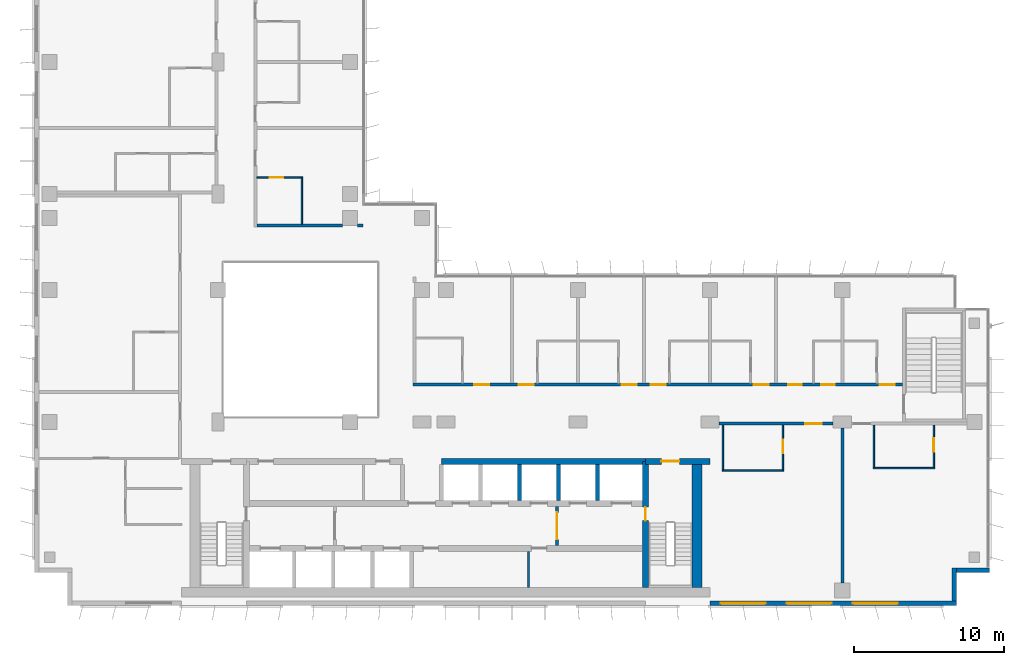
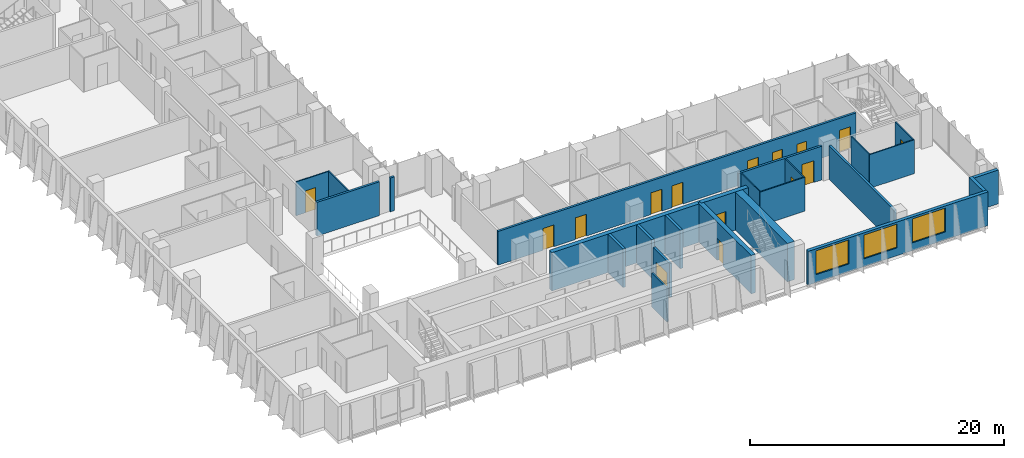
# One storey, part 14 of 21: 25 walls, 15 doors, 3 windows, 18 openings.
"""IFC4 building model written with IfcOpenShell, lengths in metres."""

from ifc_helpers import new_model, si_unit, direction, frame, frame_2d, origin, place, context, subcontext, project, spatial, rectangle, extrude, material, layer, layer_set, type_object, element, fill, save


model = new_model("IFC4")

# Units and contexts
model_context = context("Model", 3, precision=1e-05, world=origin(), true_north=direction((0.0, 1.0)))
body_context = subcontext(model_context, "Body", "Model", "MODEL_VIEW")
ifc_project = project(units=[si_unit("LENGTHUNIT", "METRE"), si_unit("AREAUNIT", "SQUARE_METRE"), si_unit("VOLUMEUNIT", "CUBIC_METRE"), si_unit("PLANEANGLEUNIT", "RADIAN"), si_unit("MASSUNIT", "GRAM", prefix="KILO")], contexts=[model_context])

# Site, building, storey
site_placement = place(None, origin())
site = spatial("IfcSite", under=ifc_project, at=site_placement, CompositionType="ELEMENT")
building_placement = place(site_placement, origin())
building = spatial("IfcBuilding", under=site, at=building_placement, Name="Kemantara Hotel Tower", CompositionType="ELEMENT")
storey_placement = place(building_placement, frame((0.0, 0.0, 219.10009765625)))
storey = spatial("IfcBuildingStorey", under=building, at=storey_placement, Name="L54", CompositionType="ELEMENT", Elevation=219.10009765625)

# Wall, openings, windows
ifc_material_1 = material(Name="Bronze anodised aluminium cladding on insulated steel stud wall", Category="steel")
ifc_layer_1 = layer(ifc_material_1, 0.300048828125)
ifc_layer_set_1 = layer_set([ifc_layer_1], Name="Bronze anodised aluminium cladding on insulated steel stud wall")
wall_type_1 = type_object("IfcWallType", Name="BRONZE METAL-CLAD EXTERNAL WALL 300", PredefinedType="STANDARD", material=ifc_layer_set_1)
wall_1_placement = place(storey_placement, frame((45.0, 0.14990234375, 0.0), z_axis=(0.0, 0.0, 1.0), x_axis=(1.0, 0.0, 0.0)))
wall_1 = element("IfcWall", 1, at=wall_1_placement, inside=storey, type_object=wall_type_1, Name="EXTERNAL WALL L54 T3-R08-3", PredefinedType="STANDARD", context=body_context, shape_type="SweptSolid", body=[
    extrude(rectangle(XDim=16.39990234375, YDim=0.300048828125, at=frame_2d((8.199951171875, 0.0))), origin(), (0.0, 0.0, 1.0), 3.25),
])
opening_1_placement = place(wall_1_placement, frame((0.699951171875, 0.0, 0.75)))
opening_1 = element("IfcOpeningElement", 2, at=opening_1_placement, cuts=wall_1, Name="Opening W1", PredefinedType="OPENING", context=body_context, shape_type="SweptSolid", body=[
    extrude(rectangle(XDim=3.0, YDim=2.300048828125, at=frame_2d((1.5, 1.14990234375))), frame((0.0, 0.159912109375, 0.0), z_axis=(0.0, -1.0, 0.0), x_axis=(1.0, 0.0, 0.0)), (0.0, 0.0, 1.0), 0.320068359375),
])
opening_2_placement = place(wall_1_placement, frame((5.10009765625, 0.0, 0.75)))
opening_2 = element("IfcOpeningElement", 3, at=opening_2_placement, cuts=wall_1, Name="Opening W1", PredefinedType="OPENING", context=body_context, shape_type="SweptSolid", body=[
    extrude(rectangle(XDim=3.0, YDim=2.300048828125, at=frame_2d((1.5, 1.14990234375))), frame((0.0, 0.159912109375, 0.0), z_axis=(0.0, -1.0, 0.0), x_axis=(1.0, 0.0, 0.0)), (0.0, 0.0, 1.0), 0.320068359375),
])
opening_3_placement = place(wall_1_placement, frame((9.5, 0.0, 0.75)))
opening_3 = element("IfcOpeningElement", 4, at=opening_3_placement, cuts=wall_1, Name="Opening W1", PredefinedType="OPENING", context=body_context, shape_type="SweptSolid", body=[
    extrude(rectangle(XDim=3.0, YDim=2.300048828125, at=frame_2d((1.5, 1.14990234375))), frame((0.0, 0.159912109375, 0.0), z_axis=(0.0, -1.0, 0.0), x_axis=(1.0, 0.0, 0.0)), (0.0, 0.0, 1.0), 0.320068359375),
])
ifc_material_2 = material(Name="Low-E tinted double insulated glass in bronze anodised aluminium frame", Category="aluminium")
window_type = type_object("IfcWindowType", Name="CHICAGO WINDOW, TRIPLE PANEL 3000x2300", PartitioningType="TRIPLE_PANEL_VERTICAL", PredefinedType="WINDOW", material=ifc_material_2)
window_1_placement = place(opening_1_placement, origin())
window_1 = element("IfcWindow", 5, at=window_1_placement, inside=storey, type_object=window_type, Name="CHICAGO WINDOW L54 T3-R08-450", OverallHeight=2.300048828125, OverallWidth=3.0, PartitioningType="SINGLE_PANEL", PredefinedType="WINDOW", context=body_context, shape_type="SweptSolid", body=[
    extrude(rectangle(XDim=3.0, YDim=2.300048828125, at=frame_2d((1.5, 1.14990234375))), frame((0.0, 0.030029296875, 0.0), z_axis=(0.0, -1.0, 0.0), x_axis=(1.0, 0.0, 0.0)), (0.0, 0.0, 1.0), 0.06005859375),
])
fill(opening_1, window_1)
window_2_placement = place(opening_2_placement, origin())
window_2 = element("IfcWindow", 6, at=window_2_placement, inside=storey, type_object=window_type, Name="CHICAGO WINDOW L54 T3-R08-494", OverallHeight=2.300048828125, OverallWidth=3.0, PartitioningType="SINGLE_PANEL", PredefinedType="WINDOW", context=body_context, shape_type="SweptSolid", body=[
    extrude(rectangle(XDim=3.0, YDim=2.300048828125, at=frame_2d((1.5, 1.14990234375))), frame((0.0, 0.030029296875, 0.0), z_axis=(0.0, -1.0, 0.0), x_axis=(1.0, 0.0, 0.0)), (0.0, 0.0, 1.0), 0.06005859375),
])
fill(opening_2, window_2)
window_3_placement = place(opening_3_placement, origin())
window_3 = element("IfcWindow", 7, at=window_3_placement, inside=storey, type_object=window_type, Name="CHICAGO WINDOW L54 T3-R08-538", OverallHeight=2.300048828125, OverallWidth=3.0, PartitioningType="SINGLE_PANEL", PredefinedType="WINDOW", context=body_context, shape_type="SweptSolid", body=[
    extrude(rectangle(XDim=3.0, YDim=2.300048828125, at=frame_2d((1.5, 1.14990234375))), frame((0.0, 0.030029296875, 0.0), z_axis=(0.0, -1.0, 0.0), x_axis=(1.0, 0.0, 0.0)), (0.0, 0.0, 1.0), 0.06005859375),
])
fill(opening_3, window_3)

# Walls
wall_2_placement = place(storey_placement, frame((61.25, 0.300048828125, 0.0), z_axis=(0.0, 0.0, 1.0), x_axis=(0.0, 1.0, 0.0)))
element("IfcWall", 8, at=wall_2_placement, inside=storey, type_object=wall_type_1, Name="EXTERNAL WALL L54 T3-R09", PredefinedType="STANDARD", context=body_context, shape_type="SweptSolid", body=[
    extrude(rectangle(XDim=2.199951171875, YDim=0.300048828125, at=frame_2d((1.10009765625, 0.0))), origin(), (0.0, 0.0, 1.0), 3.25),
])
wall_3_placement = place(storey_placement, frame((61.39990234375, 2.35009765625, 0.0), z_axis=(0.0, 0.0, 1.0), x_axis=(1.0, 0.0, 0.0)))
element("IfcWall", 9, at=wall_3_placement, inside=storey, type_object=wall_type_1, Name="EXTERNAL WALL L54 T3-R10", PredefinedType="STANDARD", context=body_context, shape_type="SweptSolid", body=[
    extrude(rectangle(XDim=2.2001953125, YDim=0.300048828125, at=frame_2d((1.10009765625, 0.0))), origin(), (0.0, 0.0, 1.0), 3.25),
])
ifc_material_3 = material(Name="Concrete fc 60 MPa", Category="concrete")
ifc_layer_2 = layer(ifc_material_3, 0.25)
ifc_layer_set_2 = layer_set([ifc_layer_2], Name="Concrete fc 60 MPa")
wall_type_2 = type_object("IfcWallType", Name="CORE WALL 250 FC60", PredefinedType="SHEAR", material=ifc_layer_set_2)
for number, where, z_axis, x_axis, name in (
    (10, (32.300048828125, 7.0, 0.0), (0.0, 0.0, 1.0), (0.0, 1.0, 0.0), "CORE WALL CW-DN32.3"),
    (11, (34.89990234375, 7.0, 0.0), (0.0, 0.0, 1.0), (0.0, 1.0, 0.0), "CORE WALL CW-DN34.9"),
    (12, (37.5, 7.0, 0.0), (0.0, 0.0, 1.0), (0.0, 1.0, 0.0), "CORE WALL CW-DN37.5"),
):
    element("IfcWall", number, at=place(storey_placement, frame(where, z_axis=z_axis, x_axis=x_axis)), inside=storey, type_object=wall_type_2, Name=name, PredefinedType="SHEAR", context=body_context, shape_type="SweptSolid", body=[
        extrude(rectangle(XDim=2.39990234375, YDim=0.25, at=frame_2d((1.199951171875, 0.0))), origin(), (0.0, 0.0, 1.0), 3.699951171875),
    ])

# Wall, opening, door
ifc_layer_3 = layer(ifc_material_3, 0.39990234375)
ifc_layer_set_3 = layer_set([ifc_layer_3], Name="Concrete fc 60 MPa")
wall_type_3 = type_object("IfcWallType", Name="CORE WALL 400 FC60", PredefinedType="SHEAR", material=ifc_layer_set_3)
wall_4_placement = place(storey_placement, frame((40.699951171875, 9.60009765625, 0.0), z_axis=(0.0, 0.0, 1.0), x_axis=(1.0, 0.0, 0.0)))
wall_4 = element("IfcWall", 13, at=wall_4_placement, inside=storey, type_object=wall_type_3, Name="CORE WALL CW-N2", PredefinedType="SHEAR", context=body_context, shape_type="SweptSolid", body=[
    extrude(rectangle(XDim=4.300048828125, YDim=0.39990234375, at=frame_2d((2.14990234375, 0.0))), origin(), (0.0, 0.0, 1.0), 3.699951171875),
])
opening_4_placement = place(wall_4_placement, frame((1.050048828125, 0.0, 0.0)))
opening_4 = element("IfcOpeningElement", 14, at=opening_4_placement, cuts=wall_4, Name="Opening C33-ST2-C", PredefinedType="OPENING", context=body_context, shape_type="SweptSolid", body=[
    extrude(rectangle(XDim=1.199951171875, YDim=2.10009765625, at=frame_2d((0.60009765625, 1.050048828125))), frame((0.0, 0.2099609375, 0.0), z_axis=(0.0, -1.0, 0.0), x_axis=(1.0, 0.0, 0.0)), (0.0, 0.0, 1.0), 0.419921875),
])
ifc_material_4 = material(Name="Steel fire door", Category="steel")
door_type_1 = type_object("IfcDoorType", Name="Fire door FD90 1200 x 2100", OperationType="NOTDEFINED", PredefinedType="DOOR", material=ifc_material_4)
door_1_placement = place(opening_4_placement, frame((1.199951171875, 0.0, 0.0), z_axis=(0.0, 0.0, 1.0), x_axis=(-1.0, 0.0, 0.0)))
door_1 = element("IfcDoor", 15, at=door_1_placement, inside=storey, type_object=door_type_1, Name="Stair ST2 door to corridor", OperationType="SINGLE_SWING_RIGHT", OverallHeight=2.10009765625, OverallWidth=1.199951171875, PredefinedType="DOOR", context=body_context, shape_type="SweptSolid", body=[
    extrude(rectangle(XDim=1.199951171875, YDim=2.10009765625, at=frame_2d((0.60009765625, 1.050048828125))), frame((0.0, 0.02490234375, 0.0), z_axis=(0.0, -1.0, 0.0), x_axis=(1.0, 0.0, 0.0)), (0.0, 0.0, 1.0), 0.050048828125),
])
fill(opening_4, door_1)

# Wall
wall_5_placement = place(storey_placement, frame((27.10009765625, 9.60009765625, 0.0), z_axis=(0.0, 0.0, 1.0), x_axis=(1.0, 0.0, 0.0)))
element("IfcWall", 16, at=wall_5_placement, inside=storey, type_object=wall_type_3, Name="CORE WALL CW-NN2", PredefinedType="SHEAR", context=body_context, shape_type="SweptSolid", body=[
    extrude(rectangle(XDim=13.599853515625, YDim=0.39990234375, at=frame_2d((6.7998046875, 0.0))), origin(), (0.0, 0.0, 1.0), 3.699951171875),
])

# Wall, opening, door
wall_6_placement = place(storey_placement, frame((40.699951171875, 1.199951171875, 0.0), z_axis=(0.0, 0.0, 1.0), x_axis=(0.0, 1.0, 0.0)))
wall_6 = element("IfcWall", 17, at=wall_6_placement, inside=storey, type_object=wall_type_3, Name="CORE WALL CW-ST2W", PredefinedType="SHEAR", context=body_context, shape_type="SweptSolid", body=[
    extrude(rectangle(XDim=8.400146484375, YDim=0.39990234375, at=frame_2d((4.2001953125, 0.0))), origin(), (0.0, 0.0, 1.0), 3.699951171875),
])
opening_5_placement = place(wall_6_placement, frame((4.449951171875, 0.0, 0.0)))
opening_5 = element("IfcOpeningElement", 18, at=opening_5_placement, cuts=wall_6, Name="Opening C33-ST2-F", PredefinedType="OPENING", context=body_context, shape_type="SweptSolid", body=[
    extrude(rectangle(XDim=0.89990234375, YDim=2.10009765625, at=frame_2d((0.449951171875, 1.050048828125))), frame((0.0, 0.2099609375, 0.0), z_axis=(0.0, -1.0, 0.0), x_axis=(1.0, 0.0, 0.0)), (0.0, 0.0, 1.0), 0.419921875),
])
door_type_2 = type_object("IfcDoorType", Name="Fire door FD90 900 x 2100", OperationType="NOTDEFINED", PredefinedType="DOOR", material=ifc_material_4)
door_2_placement = place(opening_5_placement, frame((0.89990234375, 0.0, 0.0), z_axis=(0.0, 0.0, 1.0), x_axis=(-1.0, 0.0, 0.0)))
door_2 = element("IfcDoor", 19, at=door_2_placement, inside=storey, type_object=door_type_2, Name="Stair ST2 door to firefighting lobby", OperationType="SINGLE_SWING_LEFT", OverallHeight=2.10009765625, OverallWidth=0.89990234375, PredefinedType="DOOR", context=body_context, shape_type="SweptSolid", body=[
    extrude(rectangle(XDim=0.89990234375, YDim=2.10009765625, at=frame_2d((0.449951171875, 1.050048828125))), frame((0.0, 0.02490234375, 0.0), z_axis=(0.0, -1.0, 0.0), x_axis=(1.0, 0.0, 0.0)), (0.0, 0.0, 1.0), 0.050048828125),
])
fill(opening_5, door_2)

# Wall
ifc_layer_4 = layer(ifc_material_3, 0.64990234375)
ifc_layer_set_4 = layer_set([ifc_layer_4], Name="Concrete fc 60 MPa")
wall_type_4 = type_object("IfcWallType", Name="CORE WALL 650 FC60", PredefinedType="SHEAR", material=ifc_layer_set_4)
wall_7_placement = place(storey_placement, frame((44.125, 1.199951171875, 0.0), z_axis=(0.0, 0.0, 1.0), x_axis=(0.0, 1.0, 0.0)))
element("IfcWall", 20, at=wall_7_placement, inside=storey, type_object=wall_type_4, Name="CORE WALL CW-E", PredefinedType="SHEAR", context=body_context, shape_type="SweptSolid", body=[
    extrude(rectangle(XDim=8.60009765625, YDim=0.64990234375, at=frame_2d((4.300048828125, 0.0))), origin(), (0.0, 0.0, 1.0), 3.699951171875),
])

# Wall, opening, door
ifc_material_5 = material(Name="Gypsum board partition, steel studs and mineral wool, 200 mm", Category="steel")
ifc_layer_5 = layer(ifc_material_5, 0.199951171875)
ifc_layer_set_5 = layer_set([ifc_layer_5], Name="Gypsum board partition, steel studs and mineral wool, 200 mm")
wall_type_5 = type_object("IfcWallType", Name="CORRIDOR WALL 200", PredefinedType="PARTITIONING", material=ifc_layer_set_5)
wall_8_placement = place(storey_placement, frame((53.199951171875, 12.10009765625, 0.0), z_axis=(0.0, 0.0, 1.0), x_axis=(-1.0, 0.0, 0.0)))
wall_8 = element("IfcWall", 21, at=wall_8_placement, inside=storey, type_object=wall_type_5, Name="CORRIDOR WALL 200 001", PredefinedType="PARTITIONING", context=body_context, shape_type="SweptSolid", body=[
    extrude(rectangle(XDim=7.599853515625, YDim=0.199951171875, at=frame_2d((3.7998046875, 0.0))), origin(), (0.0, 0.0, 1.0), 3.25),
])
opening_6_placement = place(wall_8_placement, frame((0.75, 0.0, 0.0)))
opening_6 = element("IfcOpeningElement", 22, at=opening_6_placement, cuts=wall_8, Name="Opening F26-001", PredefinedType="OPENING", context=body_context, shape_type="SweptSolid", body=[
    extrude(rectangle(XDim=1.10009765625, YDim=2.10009765625, at=frame_2d((0.550048828125, 1.050048828125))), frame((0.0, 0.10986328125, 0.0), z_axis=(0.0, -1.0, 0.0), x_axis=(1.0, 0.0, 0.0)), (0.0, 0.0, 1.0), 0.219970703125),
])
ifc_material_6 = material(Name="Hardwood veneer door leaf with steel frame", Category="steel")
door_type_3 = type_object("IfcDoorType", Name="SUITE ENTRANCE DOOR 1100 X 2100 FD30S", OperationType="NOTDEFINED", PredefinedType="DOOR", material=ifc_material_6)
door_3_placement = place(opening_6_placement, origin())
door_3 = element("IfcDoor", 23, at=door_3_placement, inside=storey, type_object=door_type_3, Name="SUITE ENTRANCE DOOR F26-001", OperationType="SINGLE_SWING_LEFT", OverallHeight=2.10009765625, OverallWidth=1.10009765625, PredefinedType="DOOR", context=body_context, shape_type="SweptSolid", body=[
    extrude(rectangle(XDim=1.10009765625, YDim=2.10009765625, at=frame_2d((0.550048828125, 1.050048828125))), frame((0.0, 0.02490234375, 0.0), z_axis=(0.0, -1.0, 0.0), x_axis=(1.0, 0.0, 0.0)), (0.0, 0.0, 1.0), 0.050048828125),
])
fill(opening_6, door_3)

# Wall, openings, doors
wall_9_placement = place(storey_placement, frame((25.199951171875, 14.699951171875, 0.0), z_axis=(0.0, 0.0, 1.0), x_axis=(1.0, 0.0, 0.0)))
wall_9 = element("IfcWall", 24, at=wall_9_placement, inside=storey, type_object=wall_type_5, Name="CORRIDOR WALL 200 005", PredefinedType="PARTITIONING", context=body_context, shape_type="SweptSolid", body=[
    extrude(rectangle(XDim=32.60009765625, YDim=0.199951171875, at=frame_2d((16.300048828125, 0.0))), origin(), (0.0, 0.0, 1.0), 3.25),
])
opening_7_placement = place(wall_9_placement, frame((4.10009765625, 0.0, 0.0)))
opening_7 = element("IfcOpeningElement", 25, at=opening_7_placement, cuts=wall_9, Name="Opening F26-005", PredefinedType="OPENING", context=body_context, shape_type="SweptSolid", body=[
    extrude(rectangle(XDim=1.0, YDim=2.10009765625, at=frame_2d((0.5, 1.050048828125))), frame((0.0, 0.10986328125, 0.0), z_axis=(0.0, -1.0, 0.0), x_axis=(1.0, 0.0, 0.0)), (0.0, 0.0, 1.0), 0.219970703125),
])
opening_8_placement = place(wall_9_placement, frame((7.050048828125, 0.0, 0.0)))
opening_8 = element("IfcOpeningElement", 26, at=opening_8_placement, cuts=wall_9, Name="Opening F26-007", PredefinedType="OPENING", context=body_context, shape_type="SweptSolid", body=[
    extrude(rectangle(XDim=1.0, YDim=2.10009765625, at=frame_2d((0.5, 1.050048828125))), frame((0.0, 0.10986328125, 0.0), z_axis=(0.0, -1.0, 0.0), x_axis=(1.0, 0.0, 0.0)), (0.0, 0.0, 1.0), 0.219970703125),
])
opening_9_placement = place(wall_9_placement, frame((13.89990234375, 0.0, 0.0)))
opening_9 = element("IfcOpeningElement", 27, at=opening_9_placement, cuts=wall_9, Name="Opening F26-009", PredefinedType="OPENING", context=body_context, shape_type="SweptSolid", body=[
    extrude(rectangle(XDim=1.0, YDim=2.10009765625, at=frame_2d((0.5, 1.050048828125))), frame((0.0, 0.10986328125, 0.0), z_axis=(0.0, -1.0, 0.0), x_axis=(1.0, 0.0, 0.0)), (0.0, 0.0, 1.0), 0.219970703125),
])
opening_10_placement = place(wall_9_placement, frame((15.85009765625, 0.0, 0.0)))
opening_10 = element("IfcOpeningElement", 28, at=opening_10_placement, cuts=wall_9, Name="Opening F26-011", PredefinedType="OPENING", context=body_context, shape_type="SweptSolid", body=[
    extrude(rectangle(XDim=1.0, YDim=2.10009765625, at=frame_2d((0.5, 1.050048828125))), frame((0.0, 0.10986328125, 0.0), z_axis=(0.0, -1.0, 0.0), x_axis=(1.0, 0.0, 0.0)), (0.0, 0.0, 1.0), 0.219970703125),
])
opening_11_placement = place(wall_9_placement, frame((22.699951171875, 0.0, 0.0)))
opening_11 = element("IfcOpeningElement", 29, at=opening_11_placement, cuts=wall_9, Name="Opening F26-013", PredefinedType="OPENING", context=body_context, shape_type="SweptSolid", body=[
    extrude(rectangle(XDim=1.0, YDim=2.10009765625, at=frame_2d((0.5, 1.050048828125))), frame((0.0, 0.10986328125, 0.0), z_axis=(0.0, -1.0, 0.0), x_axis=(1.0, 0.0, 0.0)), (0.0, 0.0, 1.0), 0.219970703125),
])
opening_12_placement = place(wall_9_placement, frame((25.0, 0.0, 0.0)))
opening_12 = element("IfcOpeningElement", 30, at=opening_12_placement, cuts=wall_9, Name="Opening F26-015", PredefinedType="OPENING", context=body_context, shape_type="SweptSolid", body=[
    extrude(rectangle(XDim=0.89990234375, YDim=2.10009765625, at=frame_2d((0.449951171875, 1.050048828125))), frame((0.0, 0.10986328125, 0.0), z_axis=(0.0, -1.0, 0.0), x_axis=(1.0, 0.0, 0.0)), (0.0, 0.0, 1.0), 0.219970703125),
])
opening_13_placement = place(wall_9_placement, frame((27.199951171875, 0.0, 0.0)))
opening_13 = element("IfcOpeningElement", 31, at=opening_13_placement, cuts=wall_9, Name="Opening F26-016", PredefinedType="OPENING", context=body_context, shape_type="SweptSolid", body=[
    extrude(rectangle(XDim=0.89990234375, YDim=2.10009765625, at=frame_2d((0.449951171875, 1.050048828125))), frame((0.0, 0.10986328125, 0.0), z_axis=(0.0, -1.0, 0.0), x_axis=(1.0, 0.0, 0.0)), (0.0, 0.0, 1.0), 0.219970703125),
])
opening_14_placement = place(wall_9_placement, frame((31.10009765625, 0.0, 0.0)))
opening_14 = element("IfcOpeningElement", 32, at=opening_14_placement, cuts=wall_9, Name="Opening F26-017", PredefinedType="OPENING", context=body_context, shape_type="SweptSolid", body=[
    extrude(rectangle(XDim=1.0, YDim=2.10009765625, at=frame_2d((0.5, 1.050048828125))), frame((0.0, 0.10986328125, 0.0), z_axis=(0.0, -1.0, 0.0), x_axis=(1.0, 0.0, 0.0)), (0.0, 0.0, 1.0), 0.219970703125),
])
door_type_4 = type_object("IfcDoorType", Name="GUEST ROOM DOOR 1000 X 2100 FD30S", OperationType="NOTDEFINED", PredefinedType="DOOR", material=ifc_material_6)
door_4_placement = place(opening_7_placement, origin())
door_4 = element("IfcDoor", 33, at=door_4_placement, inside=storey, type_object=door_type_4, Name="GUEST ROOM DOOR F26-005", OperationType="SINGLE_SWING_RIGHT", OverallHeight=2.10009765625, OverallWidth=1.0, PredefinedType="DOOR", context=body_context, shape_type="SweptSolid", body=[
    extrude(rectangle(XDim=1.0, YDim=2.10009765625, at=frame_2d((0.5, 1.050048828125))), frame((0.0, 0.02490234375, 0.0), z_axis=(0.0, -1.0, 0.0), x_axis=(1.0, 0.0, 0.0)), (0.0, 0.0, 1.0), 0.050048828125),
])
fill(opening_7, door_4)
door_5_placement = place(opening_8_placement, origin())
door_5 = element("IfcDoor", 34, at=door_5_placement, inside=storey, type_object=door_type_4, Name="GUEST ROOM DOOR F26-007", OperationType="SINGLE_SWING_LEFT", OverallHeight=2.10009765625, OverallWidth=1.0, PredefinedType="DOOR", context=body_context, shape_type="SweptSolid", body=[
    extrude(rectangle(XDim=1.0, YDim=2.10009765625, at=frame_2d((0.5, 1.050048828125))), frame((0.0, 0.02490234375, 0.0), z_axis=(0.0, -1.0, 0.0), x_axis=(1.0, 0.0, 0.0)), (0.0, 0.0, 1.0), 0.050048828125),
])
fill(opening_8, door_5)
door_6_placement = place(opening_9_placement, origin())
door_6 = element("IfcDoor", 35, at=door_6_placement, inside=storey, type_object=door_type_4, Name="GUEST ROOM DOOR F26-009", OperationType="SINGLE_SWING_RIGHT", OverallHeight=2.10009765625, OverallWidth=1.0, PredefinedType="DOOR", context=body_context, shape_type="SweptSolid", body=[
    extrude(rectangle(XDim=1.0, YDim=2.10009765625, at=frame_2d((0.5, 1.050048828125))), frame((0.0, 0.02490234375, 0.0), z_axis=(0.0, -1.0, 0.0), x_axis=(1.0, 0.0, 0.0)), (0.0, 0.0, 1.0), 0.050048828125),
])
fill(opening_9, door_6)
door_7_placement = place(opening_10_placement, origin())
door_7 = element("IfcDoor", 36, at=door_7_placement, inside=storey, type_object=door_type_4, Name="GUEST ROOM DOOR F26-011", OperationType="SINGLE_SWING_LEFT", OverallHeight=2.10009765625, OverallWidth=1.0, PredefinedType="DOOR", context=body_context, shape_type="SweptSolid", body=[
    extrude(rectangle(XDim=1.0, YDim=2.10009765625, at=frame_2d((0.5, 1.050048828125))), frame((0.0, 0.02490234375, 0.0), z_axis=(0.0, -1.0, 0.0), x_axis=(1.0, 0.0, 0.0)), (0.0, 0.0, 1.0), 0.050048828125),
])
fill(opening_10, door_7)
door_8_placement = place(opening_11_placement, origin())
door_8 = element("IfcDoor", 37, at=door_8_placement, inside=storey, type_object=door_type_4, Name="GUEST ROOM DOOR F26-013", OperationType="SINGLE_SWING_RIGHT", OverallHeight=2.10009765625, OverallWidth=1.0, PredefinedType="DOOR", context=body_context, shape_type="SweptSolid", body=[
    extrude(rectangle(XDim=1.0, YDim=2.10009765625, at=frame_2d((0.5, 1.050048828125))), frame((0.0, 0.02490234375, 0.0), z_axis=(0.0, -1.0, 0.0), x_axis=(1.0, 0.0, 0.0)), (0.0, 0.0, 1.0), 0.050048828125),
])
fill(opening_11, door_8)
door_9_placement = place(opening_14_placement, origin())
door_9 = element("IfcDoor", 38, at=door_9_placement, inside=storey, type_object=door_type_4, Name="GUEST ROOM DOOR F26-017", OperationType="SINGLE_SWING_RIGHT", OverallHeight=2.10009765625, OverallWidth=1.0, PredefinedType="DOOR", context=body_context, shape_type="SweptSolid", body=[
    extrude(rectangle(XDim=1.0, YDim=2.10009765625, at=frame_2d((0.5, 1.050048828125))), frame((0.0, 0.02490234375, 0.0), z_axis=(0.0, -1.0, 0.0), x_axis=(1.0, 0.0, 0.0)), (0.0, 0.0, 1.0), 0.050048828125),
])
fill(opening_14, door_9)
ifc_material_7 = material(Name="Steel door leaf with steel frame", Category="steel")
door_type_5 = type_object("IfcDoorType", Name="SERVICE ROOM DOOR 900 X 2100 FD60", OperationType="NOTDEFINED", PredefinedType="DOOR", material=ifc_material_7)
door_10_placement = place(opening_12_placement, origin())
door_10 = element("IfcDoor", 39, at=door_10_placement, inside=storey, type_object=door_type_5, Name="SERVICE ROOM DOOR F26-015", OperationType="SINGLE_SWING_LEFT", OverallHeight=2.10009765625, OverallWidth=0.89990234375, PredefinedType="DOOR", context=body_context, shape_type="SweptSolid", body=[
    extrude(rectangle(XDim=0.89990234375, YDim=2.10009765625, at=frame_2d((0.449951171875, 1.050048828125))), frame((0.0, 0.02490234375, 0.0), z_axis=(0.0, -1.0, 0.0), x_axis=(1.0, 0.0, 0.0)), (0.0, 0.0, 1.0), 0.050048828125),
])
fill(opening_12, door_10)
door_11_placement = place(opening_13_placement, origin())
door_11 = element("IfcDoor", 40, at=door_11_placement, inside=storey, type_object=door_type_5, Name="SERVICE ROOM DOOR F26-016", OperationType="SINGLE_SWING_RIGHT", OverallHeight=2.10009765625, OverallWidth=0.89990234375, PredefinedType="DOOR", context=body_context, shape_type="SweptSolid", body=[
    extrude(rectangle(XDim=0.89990234375, YDim=2.10009765625, at=frame_2d((0.449951171875, 1.050048828125))), frame((0.0, 0.02490234375, 0.0), z_axis=(0.0, -1.0, 0.0), x_axis=(1.0, 0.0, 0.0)), (0.0, 0.0, 1.0), 0.050048828125),
])
fill(opening_13, door_11)

# Walls
ifc_layer_6 = layer(ifc_material_5, 0.199951171875)
ifc_layer_set_6 = layer_set([ifc_layer_6], Name="Gypsum board partition, steel studs and mineral wool, 200 mm")
wall_type_6 = type_object("IfcWallType", Name="GUEST ROOM PARTY WALL 200", PredefinedType="PARTITIONING", material=ifc_layer_set_6)
wall_10_placement = place(storey_placement, frame((53.800048828125, 1.5, 0.0), z_axis=(0.0, 0.0, 1.0), x_axis=(0.0, 1.0, 0.0)))
element("IfcWall", 41, at=wall_10_placement, inside=storey, type_object=wall_type_6, Name="GUEST ROOM PARTY WALL 200 003", PredefinedType="PARTITIONING", context=body_context, shape_type="SweptSolid", body=[
    extrude(rectangle(XDim=10.2998046875, YDim=0.199951171875, at=frame_2d((5.14990234375, 0.0))), origin(), (0.0, 0.0, 1.0), 3.25),
])
wall_11_placement = place(storey_placement, frame((14.800048828125, 25.300048828125, 0.0), z_axis=(0.0, 0.0, 1.0), x_axis=(1.0, 0.0, 0.0)))
element("IfcWall", 42, at=wall_11_placement, inside=storey, type_object=wall_type_6, Name="GUEST ROOM PARTY WALL 200 029", PredefinedType="PARTITIONING", context=body_context, shape_type="SweptSolid", body=[
    extrude(rectangle(XDim=5.699951171875, YDim=0.199951171875, at=frame_2d((2.85009765625, 0.0))), origin(), (0.0, 0.0, 1.0), 3.25),
])
wall_12_placement = place(storey_placement, frame((21.5, 25.300048828125, 0.0), z_axis=(0.0, 0.0, 1.0), x_axis=(1.0, 0.0, 0.0)))
element("IfcWall", 43, at=wall_12_placement, inside=storey, type_object=wall_type_6, Name="GUEST ROOM PARTY WALL 200 030", PredefinedType="PARTITIONING", context=body_context, shape_type="SweptSolid", body=[
    extrude(rectangle(XDim=0.3701171875, YDim=0.199951171875, at=frame_2d((0.18505859375, 0.0))), origin(), (0.0, 0.0, 1.0), 3.25),
])
ifc_material_8 = material(Name="Gypsum board partition")
ifc_layer_7 = layer(ifc_material_8, 0.14990234375)
ifc_layer_set_7 = layer_set([ifc_layer_7], Name="Gypsum board partition")
wall_type_7 = type_object("IfcWallType", Name="Gypsum board partition 150 mm", PredefinedType="PARTITIONING", material=ifc_layer_set_7)
wall_13_placement = place(storey_placement, frame((32.89990234375, 1.199951171875, 0.0), z_axis=(0.0, 0.0, 1.0), x_axis=(0.0, 1.0, 0.0)))
element("IfcWall", 44, at=wall_13_placement, inside=storey, type_object=wall_type_7, Name="Core room partition", PredefinedType="PARTITIONING", context=body_context, shape_type="SweptSolid", body=[
    extrude(rectangle(XDim=2.400146484375, YDim=0.14990234375, at=frame_2d((1.2001953125, 0.0))), origin(), (0.0, 0.0, 1.0), 3.25),
])

# Wall, opening, door
ifc_material_9 = material(Name="Gypsum board shaft wall")
ifc_layer_8 = layer(ifc_material_9, 0.199951171875)
ifc_layer_set_8 = layer_set([ifc_layer_8], Name="Gypsum board shaft wall")
wall_type_8 = type_object("IfcWallType", Name="Gypsum board shaft wall 200 mm", PredefinedType="PARTITIONING", material=ifc_layer_set_8)
wall_14_placement = place(storey_placement, frame((34.800048828125, 4.0, 0.0), z_axis=(0.0, 0.0, 1.0), x_axis=(0.0, 1.0, 0.0)))
wall_14 = element("IfcWall", 45, at=wall_14_placement, inside=storey, type_object=wall_type_8, Name="Firefighting lobby partition east", PredefinedType="PARTITIONING", context=body_context, shape_type="SweptSolid", body=[
    extrude(rectangle(XDim=2.60009765625, YDim=0.199951171875, at=frame_2d((1.300048828125, 0.0))), origin(), (0.0, 0.0, 1.0), 3.25),
])
opening_15_placement = place(wall_14_placement, frame((0.39990234375, 0.0, 0.0)))
opening_15 = element("IfcOpeningElement", 46, at=opening_15_placement, cuts=wall_14, Name="Opening C33-FFE", PredefinedType="OPENING", context=body_context, shape_type="SweptSolid", body=[
    extrude(rectangle(XDim=1.800048828125, YDim=2.10009765625, at=frame_2d((0.89990234375, 1.050048828125))), frame((0.0, 0.10986328125, 0.0), z_axis=(0.0, -1.0, 0.0), x_axis=(1.0, 0.0, 0.0)), (0.0, 0.0, 1.0), 0.219970703125),
])
door_type_6 = type_object("IfcDoorType", Name="Fire door pair FD60 1800 x 2100", OperationType="DOUBLE_DOOR_SINGLE_SWING", PredefinedType="DOOR", material=ifc_material_4)
door_12_placement = place(opening_15_placement, frame((1.800048828125, 0.0, 0.0), z_axis=(0.0, 0.0, 1.0), x_axis=(-1.0, 0.0, 0.0)))
door_12 = element("IfcDoor", 47, at=door_12_placement, inside=storey, type_object=door_type_6, Name="Firefighting lobby door east", OperationType="DOUBLE_DOOR_SINGLE_SWING", OverallHeight=2.10009765625, OverallWidth=1.800048828125, PredefinedType="DOOR", context=body_context, shape_type="SweptSolid", body=[
    extrude(rectangle(XDim=1.800048828125, YDim=2.10009765625, at=frame_2d((0.89990234375, 1.050048828125))), frame((0.0, 0.02490234375, 0.0), z_axis=(0.0, -1.0, 0.0), x_axis=(1.0, 0.0, 0.0)), (0.0, 0.0, 1.0), 0.050048828125),
])
fill(opening_15, door_12)

# Walls
ifc_material_10 = material(Name="Gypsum board partition on steel studs, 100 mm", Category="steel")
ifc_layer_9 = layer(ifc_material_10, 0.10009765625)
ifc_layer_set_9 = layer_set([ifc_layer_9], Name="Gypsum board partition on steel studs, 100 mm")
wall_type_9 = type_object("IfcWallType", Name="ROOM PARTITION 100", PredefinedType="PARTITIONING", material=ifc_layer_set_9)
wall_15_placement = place(storey_placement, frame((45.800048828125, 9.0, 0.0), z_axis=(0.0, 0.0, 1.0), x_axis=(1.0, 0.0, 0.0)))
element("IfcWall", 48, at=wall_15_placement, inside=storey, type_object=wall_type_9, Name="ROOM PARTITION 100 034", PredefinedType="PARTITIONING", context=body_context, shape_type="SweptSolid", body=[
    extrude(rectangle(XDim=4.099853515625, YDim=0.10009765625, at=frame_2d((2.0498046875, 0.0))), origin(), (0.0, 0.0, 1.0), 3.25),
])
wall_16_placement = place(storey_placement, frame((45.85009765625, 9.050048828125, 0.0), z_axis=(0.0, 0.0, 1.0), x_axis=(0.0, 1.0, 0.0)))
element("IfcWall", 49, at=wall_16_placement, inside=storey, type_object=wall_type_9, Name="ROOM PARTITION 100 035", PredefinedType="PARTITIONING", context=body_context, shape_type="SweptSolid", body=[
    extrude(rectangle(XDim=2.949951171875, YDim=0.10009765625, at=frame_2d((1.47509765625, 0.0))), origin(), (0.0, 0.0, 1.0), 3.25),
])

# Wall, opening, door
wall_17_placement = place(storey_placement, frame((49.85009765625, 9.050048828125, 0.0), z_axis=(0.0, 0.0, 1.0), x_axis=(0.0, 1.0, 0.0)))
wall_17 = element("IfcWall", 50, at=wall_17_placement, inside=storey, type_object=wall_type_9, Name="ROOM PARTITION 100 036", PredefinedType="PARTITIONING", context=body_context, shape_type="SweptSolid", body=[
    extrude(rectangle(XDim=2.949951171875, YDim=0.10009765625, at=frame_2d((1.47509765625, 0.0))), origin(), (0.0, 0.0, 1.0), 3.25),
])
opening_16_placement = place(wall_17_placement, frame((1.10009765625, 0.0, 0.0)))
opening_16 = element("IfcOpeningElement", 51, at=opening_16_placement, cuts=wall_17, Name="Opening F26-002", PredefinedType="OPENING", context=body_context, shape_type="SweptSolid", body=[
    extrude(rectangle(XDim=0.89990234375, YDim=2.10009765625, at=frame_2d((0.449951171875, 1.050048828125))), frame((0.0, 0.06005859375, 0.0), z_axis=(0.0, -1.0, 0.0), x_axis=(1.0, 0.0, 0.0)), (0.0, 0.0, 1.0), 0.1201171875),
])
door_type_7 = type_object("IfcDoorType", Name="BATHROOM DOOR 900 X 2100", OperationType="NOTDEFINED", PredefinedType="DOOR", material=ifc_material_6)
door_13_placement = place(opening_16_placement, origin())
door_13 = element("IfcDoor", 52, at=door_13_placement, inside=storey, type_object=door_type_7, Name="BATHROOM DOOR F26-002", OperationType="SINGLE_SWING_RIGHT", OverallHeight=2.10009765625, OverallWidth=0.89990234375, PredefinedType="DOOR", context=body_context, shape_type="SweptSolid", body=[
    extrude(rectangle(XDim=0.89990234375, YDim=2.10009765625, at=frame_2d((0.449951171875, 1.050048828125))), frame((0.0, 0.02490234375, 0.0), z_axis=(0.0, -1.0, 0.0), x_axis=(1.0, 0.0, 0.0)), (0.0, 0.0, 1.0), 0.050048828125),
])
fill(opening_16, door_13)

# Walls
wall_18_placement = place(storey_placement, frame((55.85009765625, 9.14990234375, 0.0), z_axis=(0.0, 0.0, 1.0), x_axis=(1.0, 0.0, 0.0)))
element("IfcWall", 53, at=wall_18_placement, inside=storey, type_object=wall_type_9, Name="ROOM PARTITION 100 037", PredefinedType="PARTITIONING", context=body_context, shape_type="SweptSolid", body=[
    extrude(rectangle(XDim=4.099853515625, YDim=0.10009765625, at=frame_2d((2.0498046875, 0.0))), origin(), (0.0, 0.0, 1.0), 3.25),
])
wall_19_placement = place(storey_placement, frame((55.89990234375, 9.199951171875, 0.0), z_axis=(0.0, 0.0, 1.0), x_axis=(0.0, 1.0, 0.0)))
element("IfcWall", 54, at=wall_19_placement, inside=storey, type_object=wall_type_9, Name="ROOM PARTITION 100 038", PredefinedType="PARTITIONING", context=body_context, shape_type="SweptSolid", body=[
    extrude(rectangle(XDim=2.800048828125, YDim=0.10009765625, at=frame_2d((1.39990234375, 0.0))), origin(), (0.0, 0.0, 1.0), 3.25),
])

# Wall, opening, door
wall_20_placement = place(storey_placement, frame((59.89990234375, 9.199951171875, 0.0), z_axis=(0.0, 0.0, 1.0), x_axis=(0.0, 1.0, 0.0)))
wall_20 = element("IfcWall", 55, at=wall_20_placement, inside=storey, type_object=wall_type_9, Name="ROOM PARTITION 100 039", PredefinedType="PARTITIONING", context=body_context, shape_type="SweptSolid", body=[
    extrude(rectangle(XDim=2.800048828125, YDim=0.10009765625, at=frame_2d((1.39990234375, 0.0))), origin(), (0.0, 0.0, 1.0), 3.25),
])
opening_17_placement = place(wall_20_placement, frame((1.050048828125, 0.0, 0.0)))
opening_17 = element("IfcOpeningElement", 56, at=opening_17_placement, cuts=wall_20, Name="Opening F26-004", PredefinedType="OPENING", context=body_context, shape_type="SweptSolid", body=[
    extrude(rectangle(XDim=0.89990234375, YDim=2.10009765625, at=frame_2d((0.449951171875, 1.050048828125))), frame((0.0, 0.06005859375, 0.0), z_axis=(0.0, -1.0, 0.0), x_axis=(1.0, 0.0, 0.0)), (0.0, 0.0, 1.0), 0.1201171875),
])
door_14_placement = place(opening_17_placement, origin())
door_14 = element("IfcDoor", 57, at=door_14_placement, inside=storey, type_object=door_type_7, Name="BATHROOM DOOR F26-004", OperationType="SINGLE_SWING_RIGHT", OverallHeight=2.10009765625, OverallWidth=0.89990234375, PredefinedType="DOOR", context=body_context, shape_type="SweptSolid", body=[
    extrude(rectangle(XDim=0.89990234375, YDim=2.10009765625, at=frame_2d((0.449951171875, 1.050048828125))), frame((0.0, 0.02490234375, 0.0), z_axis=(0.0, -1.0, 0.0), x_axis=(1.0, 0.0, 0.0)), (0.0, 0.0, 1.0), 0.050048828125),
])
fill(opening_17, door_14)

# Wall
wall_21_placement = place(storey_placement, frame((17.800048828125, 25.39990234375, 0.0), z_axis=(0.0, 0.0, 1.0), x_axis=(0.0, 1.0, 0.0)))
element("IfcWall", 58, at=wall_21_placement, inside=storey, type_object=wall_type_9, Name="ROOM PARTITION 100 069", PredefinedType="PARTITIONING", context=body_context, shape_type="SweptSolid", body=[
    extrude(rectangle(XDim=3.150146484375, YDim=0.10009765625, at=frame_2d((1.5751953125, 0.0))), origin(), (0.0, 0.0, 1.0), 3.25),
])

# Wall, opening, door
wall_22_placement = place(storey_placement, frame((17.75, 28.5, 0.0), z_axis=(0.0, 0.0, 1.0), x_axis=(-1.0, 0.0, 0.0)))
wall_22 = element("IfcWall", 59, at=wall_22_placement, inside=storey, type_object=wall_type_9, Name="ROOM PARTITION 100 070", PredefinedType="PARTITIONING", context=body_context, shape_type="SweptSolid", body=[
    extrude(rectangle(XDim=2.949951171875, YDim=0.10009765625, at=frame_2d((1.47509765625, 0.0))), origin(), (0.0, 0.0, 1.0), 3.25),
])
opening_18_placement = place(wall_22_placement, frame((1.199951171875, 0.0, 0.0)))
opening_18 = element("IfcOpeningElement", 60, at=opening_18_placement, cuts=wall_22, Name="Opening F26-035", PredefinedType="OPENING", context=body_context, shape_type="SweptSolid", body=[
    extrude(rectangle(XDim=0.89990234375, YDim=2.10009765625, at=frame_2d((0.449951171875, 1.050048828125))), frame((0.0, 0.06005859375, 0.0), z_axis=(0.0, -1.0, 0.0), x_axis=(1.0, 0.0, 0.0)), (0.0, 0.0, 1.0), 0.1201171875),
])
door_15_placement = place(opening_18_placement, origin())
door_15 = element("IfcDoor", 61, at=door_15_placement, inside=storey, type_object=door_type_7, Name="BATHROOM DOOR F26-035", OperationType="SINGLE_SWING_RIGHT", OverallHeight=2.10009765625, OverallWidth=0.89990234375, PredefinedType="DOOR", context=body_context, shape_type="SweptSolid", body=[
    extrude(rectangle(XDim=0.89990234375, YDim=2.10009765625, at=frame_2d((0.449951171875, 1.050048828125))), frame((0.0, 0.02490234375, 0.0), z_axis=(0.0, -1.0, 0.0), x_axis=(1.0, 0.0, 0.0)), (0.0, 0.0, 1.0), 0.050048828125),
])
fill(opening_18, door_15)

save(model, "model.ifc")
